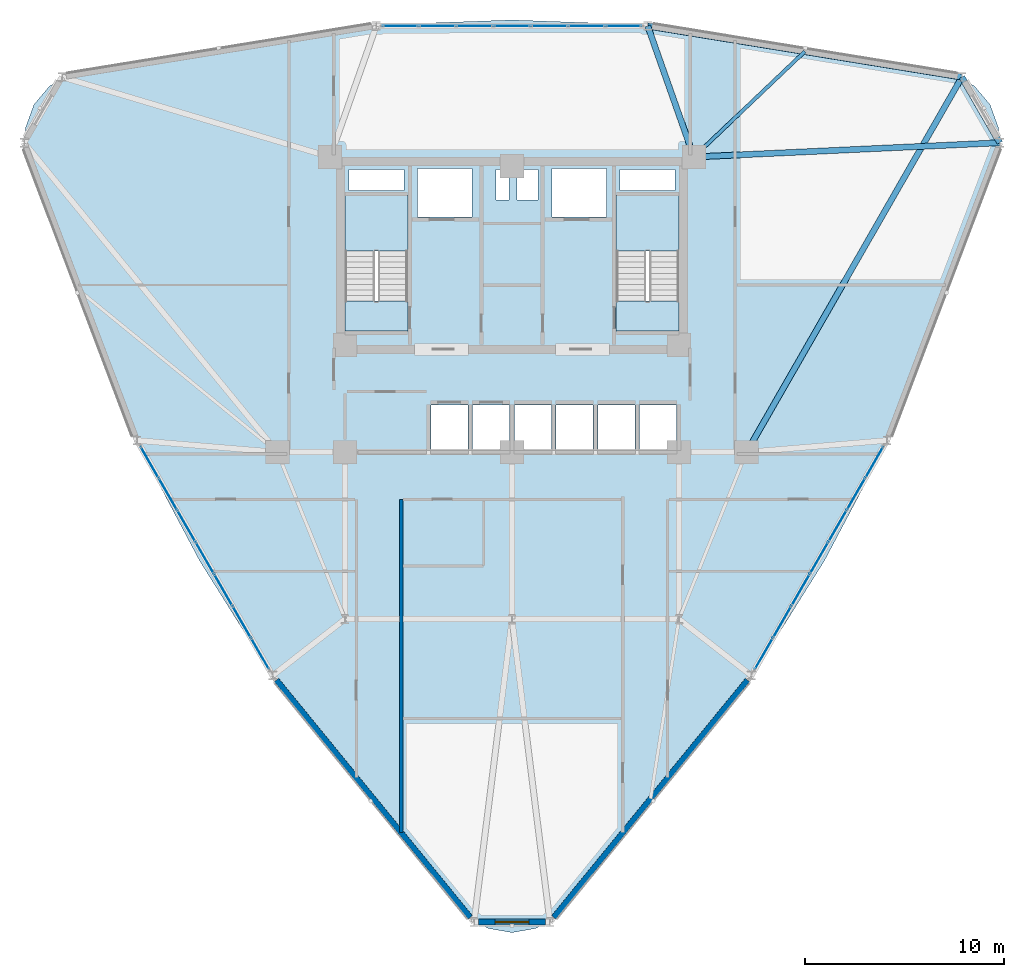
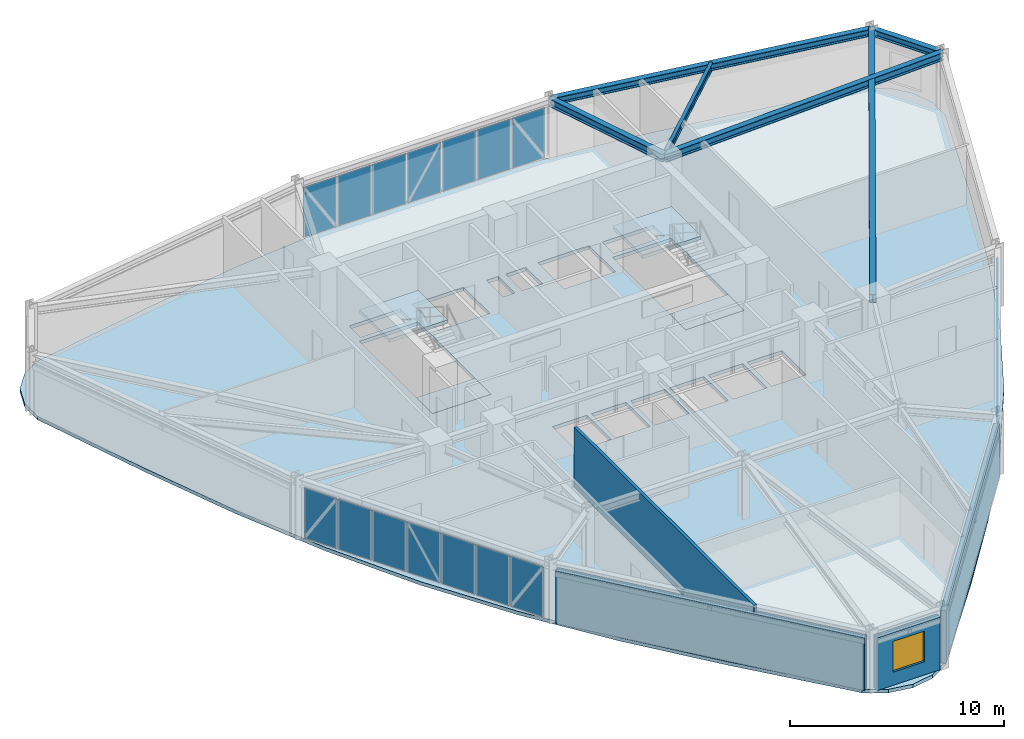
# One storey, part 9 of 17: 21 plates, 6 beams, 5 slabs, 4 walls, 1 window, 1 opening, 5 elements without a shape of their own.
"""IFC4 building model written with IfcOpenShell, lengths in metres."""

from ifc_helpers import new_model, si_unit, derived_unit, direction, frame, frame_2d, origin, origin_2d, place, context, subcontext, project, spatial, polyline, rectangle, i_section, outline, extrude, source, transform, mapped, material, layer, layer_set, material_profile, profile_set, type_object, element, fill, aggregate, save


model = new_model("IFC4")

# Units and contexts
model_context = context("Model", 3, precision=1e-05, world=origin(), true_north=direction((0.0, 1.0)))
body_context = subcontext(model_context, "Body", "Model", "MODEL_VIEW")
ifc_project = project(units=[si_unit("LENGTHUNIT", "METRE"), si_unit("AREAUNIT", "SQUARE_METRE"), si_unit("VOLUMEUNIT", "CUBIC_METRE"), si_unit("PLANEANGLEUNIT", "RADIAN"), si_unit("MASSUNIT", "GRAM", prefix="KILO"), derived_unit("THERMALTRANSMITTANCEUNIT", [(si_unit("POWERUNIT", "WATT"), 1), (si_unit("LENGTHUNIT", "METRE"), -2), (si_unit("THERMODYNAMICTEMPERATUREUNIT", "KELVIN"), -1)])], contexts=[model_context])

# Site, building, storey
site_placement = place(None, origin())
site = spatial("IfcSite", under=ifc_project, at=site_placement, CompositionType="ELEMENT")
building_placement = place(site_placement, origin())
building = spatial("IfcBuilding", under=site, at=building_placement, Name="Korsvarv Bourse and Concert Hall", CompositionType="ELEMENT")
storey_placement = place(building_placement, frame((0.0, 0.0, 124.199951171875)))
storey = spatial("IfcBuildingStorey", under=building, at=storey_placement, Name="L31", CompositionType="ELEMENT", Elevation=124.199951171875)

# Beams
ifc_material_1 = material(Name="Steel S355", Category="steel")
ifc_material_profile_1 = material_profile(ifc_material_1, i_section(OverallWidth=0.300048828125, OverallDepth=0.39990234375, WebThickness=0.013427734375, FlangeThickness=0.02392578125, FilletRadius=0.02099609375, at=origin_2d()), Name="HEB 400")
ifc_profile_set_1 = profile_set([ifc_material_profile_1], Name="Steel S355")
beam_type_1 = type_object("IfcBeamType", Name="BM-HEB400", PredefinedType="SPANDREL", material=ifc_profile_set_1)
shared_shape_1 = source(origin(), body_context, "Body", "SweptSolid", [
    extrude(i_section(OverallWidth=0.300048828125, OverallDepth=0.39990234375, WebThickness=0.013427734375, FlangeThickness=0.02392578125, FilletRadius=0.02099609375, at=origin_2d()), origin(), (0.0, 0.0, 1.0), 3.81591796875),
])
beam_1_placement = place(storey_placement, frame((60.541748046875, 47.966064453125, 3.199951171875), z_axis=(-0.499999364504, 0.866025770688, 0.0), x_axis=(-0.866025770688, -0.499999364504, 0.0)))
element("IfcBeam", 1, at=beam_1_placement, inside=storey, type_object=beam_type_1, Name="L31 beam B-09", PredefinedType="SPANDREL", context=body_context, shape_type="MappedRepresentation", body=[
    mapped(shared_shape_1, transform((0.0, 0.0, 0.0), scale=1.0)),
])
shared_shape_2 = source(origin(), body_context, "Body", "SweptSolid", [
    extrude(i_section(OverallWidth=0.300048828125, OverallDepth=0.39990234375, WebThickness=0.013427734375, FlangeThickness=0.02392578125, FilletRadius=0.02099609375, at=origin_2d()), origin(), (0.0, 0.0, 1.0), 16.014892578125),
])
beam_2_placement = place(storey_placement, frame((58.6337890625, 51.270751953125, 3.199951171875), z_axis=(-0.98703396265, 0.160511546547, 0.0), x_axis=(-0.160511546547, -0.98703396265, 0.0)))
element("IfcBeam", 2, at=beam_2_placement, inside=storey, type_object=beam_type_1, Name="L31 beam B-09", PredefinedType="SPANDREL", context=body_context, shape_type="MappedRepresentation", body=[
    mapped(shared_shape_2, transform((0.0, 0.0, 0.0), scale=1.0)),
])
ifc_material_profile_2 = material_profile(ifc_material_1, i_section(OverallWidth=0.300048828125, OverallDepth=0.449951171875, WebThickness=0.013916015625, FlangeThickness=0.02587890625, FilletRadius=0.02099609375, at=origin_2d()), Name="HEB 450")
ifc_profile_set_2 = profile_set([ifc_material_profile_2], Name="Steel S355")
beam_type_2 = type_object("IfcBeamType", Name="BM-HEB450", PredefinedType="SPANDREL", material=ifc_profile_set_2)
shared_shape_3 = source(origin(), body_context, "Body", "SweptSolid", [
    extrude(i_section(OverallWidth=0.300048828125, OverallDepth=0.449951171875, WebThickness=0.013916015625, FlangeThickness=0.02587890625, FilletRadius=0.02099609375, at=origin_2d()), origin(), (0.0, 0.0, 1.0), 15.408447265625),
])
beam_3_placement = place(storey_placement, frame((60.541748046875, 47.966064453125, 3.175048828125), z_axis=(-0.998919590077, -0.046472062141, 0.0), x_axis=(0.046472062141, -0.998919590077, 0.0)))
element("IfcBeam", 3, at=beam_3_placement, inside=storey, type_object=beam_type_2, Name="L31 beam B-08", PredefinedType="SPANDREL", context=body_context, shape_type="MappedRepresentation", body=[
    mapped(shared_shape_3, transform((0.0, 0.0, 0.0), scale=1.0)),
])
shared_shape_4 = source(origin(), body_context, "Body", "SweptSolid", [
    extrude(i_section(OverallWidth=0.300048828125, OverallDepth=0.449951171875, WebThickness=0.013916015625, FlangeThickness=0.02587890625, FilletRadius=0.02099609375, at=origin_2d()), origin(), (0.0, 0.0, 1.0), 21.759521484375),
])
beam_4_placement = place(storey_placement, frame((58.6337890625, 51.270751953125, 3.175048828125), z_axis=(-0.497883927271, -0.867243676809, 0.0), x_axis=(0.867243676809, -0.497883927271, 0.0)))
element("IfcBeam", 4, at=beam_4_placement, inside=storey, type_object=beam_type_2, Name="L31 beam B-08", PredefinedType="SPANDREL", context=body_context, shape_type="MappedRepresentation", body=[
    mapped(shared_shape_4, transform((0.0, 0.0, 0.0), scale=1.0)),
])
shared_shape_5 = source(origin(), body_context, "Body", "SweptSolid", [
    extrude(i_section(OverallWidth=0.300048828125, OverallDepth=0.449951171875, WebThickness=0.013916015625, FlangeThickness=0.02587890625, FilletRadius=0.02099609375, at=origin_2d()), origin(), (0.0, 0.0, 1.0), 6.98876953125),
])
beam_5_placement = place(storey_placement, frame((42.82666015625, 53.84130859375, 3.175048828125), z_axis=(0.332425395901, -0.943129554282, 0.0), x_axis=(0.943129554282, 0.332425395901, 0.0)))
element("IfcBeam", 5, at=beam_5_placement, inside=storey, type_object=beam_type_2, Name="L31 beam B-08", PredefinedType="SPANDREL", context=body_context, shape_type="MappedRepresentation", body=[
    mapped(shared_shape_5, transform((0.0, 0.0, 0.0), scale=1.0)),
])
ifc_material_profile_3 = material_profile(ifc_material_1, i_section(OverallWidth=0.179931640625, OverallDepth=0.39990234375, WebThickness=0.008544921875, FlangeThickness=0.013427734375, FilletRadius=0.02099609375, at=origin_2d()), Name="IPE 400")
ifc_profile_set_3 = profile_set([ifc_material_profile_3], Name="Steel S355")
beam_type_3 = type_object("IfcBeamType", Name="BM-IPE400", PredefinedType="JOIST", material=ifc_profile_set_3)
shared_shape_6 = source(origin(), body_context, "Body", "SweptSolid", [
    extrude(i_section(OverallWidth=0.179931640625, OverallDepth=0.39990234375, WebThickness=0.008544921875, FlangeThickness=0.013427734375, FilletRadius=0.02099609375, at=origin_2d()), origin(), (0.0, 0.0, 1.0), 7.7001953125),
])
beam_6_placement = place(storey_placement, frame((50.730224609375, 52.555908203125, 3.199951171875), z_axis=(-0.724700930446, -0.689063539458, 0.0), x_axis=(0.689063539458, -0.724700930446, 0.0)))
element("IfcBeam", 6, at=beam_6_placement, inside=storey, type_object=beam_type_3, Name="L31 beam J-05", PredefinedType="JOIST", context=body_context, shape_type="MappedRepresentation", body=[
    mapped(shared_shape_6, transform((0.0, 0.0, 0.0), scale=1.0)),
])

# Slabs
ifc_material_2 = material(Name="Precast concrete C45/55", Category="concrete")
ifc_layer_1 = layer(ifc_material_2, 0.199951171875)
ifc_layer_set_1 = layer_set([ifc_layer_1], Name="Precast concrete C45/55")
slab_type_1 = type_object("IfcSlabType", Name="SLB-FLND-T", PredefinedType="LANDING", material=ifc_layer_set_1)
slab_1_placement = place(storey_placement, frame((0.0, 0.0, -0.199951171875)))
element("IfcSlab", 7, at=slab_1_placement, inside=storey, type_object=slab_type_1, Name="L31 Stair ST-T1 Floor Landing Slab", PredefinedType="LANDING", context=body_context, shape_type="SweptSolid", body=[
    extrude(outline(polyline([(30.760009765625, 38.5), (30.760009765625, 40.0), (27.60009765625, 40.0), (27.60009765625, 38.5), (30.760009765625, 38.5)])), origin(), (0.0, 0.0, 1.0), 0.199951171875),
])
slab_2_placement = place(storey_placement, frame((0.0, 0.0, -0.199951171875)))
element("IfcSlab", 8, at=slab_2_placement, inside=storey, type_object=slab_type_1, Name="L31 Stair ST-T2 Floor Landing Slab", PredefinedType="LANDING", context=body_context, shape_type="SweptSolid", body=[
    extrude(outline(polyline([(44.39990234375, 38.5), (44.39990234375, 40.0), (41.239990234375, 40.0), (41.239990234375, 38.5), (44.39990234375, 38.5)])), origin(), (0.0, 0.0, 1.0), 0.199951171875),
])

# Stair, slab
stair_type = type_object("IfcStairType", Name="STR-TYPE-04", PredefinedType="HALF_TURN_STAIR", material=ifc_material_2)
stair_1_placement = place(storey_placement, origin())
stair_1 = element("IfcStair", 9, at=stair_1_placement, inside=storey, type_object=stair_type, Name="L31 Tower West Exit Stair ST-T1", PredefinedType="HALF_TURN_STAIR")
ifc_layer_2 = layer(ifc_material_2, 0.199951171875)
ifc_layer_set_2 = layer_set([ifc_layer_2], Name="Precast concrete C45/55")
slab_type_2 = type_object("IfcSlabType", Name="SLB-ST-LND", PredefinedType="LANDING", material=ifc_layer_set_2)
slab_3_placement = place(storey_placement, frame((0.0, 0.0, 1.60009765625)))
slab_3 = element("IfcSlab", 10, at=slab_3_placement, type_object=slab_type_2, Name="ST-T1 landing 1", PredefinedType="LANDING", context=body_context, shape_type="SweptSolid", body=[
    extrude(outline(polyline([(30.760009765625, 42.52001953125), (30.760009765625, 45.300048828125), (27.60009765625, 45.300048828125), (27.60009765625, 42.52001953125), (30.760009765625, 42.52001953125)])), origin(), (0.0, 0.0, 1.0), 0.199951171875),
])
aggregate(stair_1, [slab_3])

stair_2_placement = place(storey_placement, origin())
stair_2 = element("IfcStair", 11, at=stair_2_placement, inside=storey, type_object=stair_type, Name="L31 Tower East Exit Stair ST-T2", PredefinedType="HALF_TURN_STAIR")
slab_4_placement = place(storey_placement, frame((0.0, 0.0, 1.60009765625)))
slab_4 = element("IfcSlab", 12, at=slab_4_placement, type_object=slab_type_2, Name="ST-T2 landing 1", PredefinedType="LANDING", context=body_context, shape_type="SweptSolid", body=[
    extrude(outline(polyline([(44.39990234375, 42.52001953125), (44.39990234375, 45.300048828125), (41.239990234375, 45.300048828125), (41.239990234375, 42.52001953125), (44.39990234375, 42.52001953125)])), origin(), (0.0, 0.0, 1.0), 0.199951171875),
])
aggregate(stair_2, [slab_4])

# Slab
ifc_material_3 = material(Name="Concrete C45/55", Category="concrete")
ifc_layer_3 = layer(ifc_material_3, 0.199951171875)
ifc_layer_set_3 = layer_set([ifc_layer_3], Name="Concrete C45/55")
slab_type_3 = type_object("IfcSlabType", Name="SLB-TW2", PredefinedType="FLOOR", material=ifc_layer_set_3)
slab_5_placement = place(storey_placement, frame((0.0, 0.0, -0.199951171875)))
element("IfcSlab", 13, at=slab_5_placement, inside=storey, type_object=slab_type_3, Name="L31 tower structural floor slab", PredefinedType="FLOOR", context=body_context, shape_type="SweptSolid", body=[
    extrude(outline(polyline([(59.994140625, 46.2314453125), (58.197265625, 41.2158203125), (56.282958984375, 36.29345703125), (54.14501953125, 31.52001953125), (51.7109375, 26.92919921875), (48.9521484375, 22.52587890625), (45.887451171875, 18.287841796875), (42.58154296875, 14.168701171875), (39.13623046875, 10.104736328125), (39.133544921875, 10.101318359375), (38.251708984375, 9.050537109375), (37.197998046875, 8.442138671875), (36.0, 8.23095703125), (34.802001953125, 8.442138671875), (33.748291015625, 9.050537109375), (32.866455078125, 10.101318359375), (32.86376953125, 10.104736328125), (29.41845703125, 14.168701171875), (26.112548828125, 18.287841796875), (23.0478515625, 22.52587890625), (20.2890625, 26.92919921875), (17.85498046875, 31.52001953125), (15.717041015625, 36.29345703125), (13.802734375, 41.2158203125), (12.005859375, 46.2314453125), (12.00439453125, 46.235595703125), (11.53515625, 47.524658203125), (11.53515625, 48.7412109375), (11.951416015625, 49.884521484375), (12.7333984375, 50.81640625), (13.786865234375, 51.4248046875), (15.1376953125, 51.6630859375), (15.14208984375, 51.663818359375), (20.384521484375, 52.615478515625), (25.6044921875, 53.4189453125), (30.807373046875, 53.953857421875), (36.0, 54.141357421875), (41.192626953125, 53.953857421875), (46.3955078125, 53.4189453125), (51.615478515625, 52.615478515625), (56.85791015625, 51.663818359375), (56.8623046875, 51.6630859375), (58.213134765625, 51.4248046875), (59.2666015625, 50.81640625), (60.048583984375, 49.884521484375), (60.46484375, 48.7412109375), (60.46484375, 47.524658203125), (59.99560546875, 46.235595703125), (59.994140625, 46.2314453125)]), holes=[polyline([(30.760009765625, 38.5), (30.760009765625, 45.300048828125), (27.60009765625, 45.300048828125), (27.60009765625, 38.5), (30.760009765625, 38.5)]), polyline([(44.39990234375, 38.5), (44.39990234375, 45.300048828125), (41.239990234375, 45.300048828125), (41.239990234375, 38.5), (44.39990234375, 38.5)]), polyline([(31.239990234375, 44.219970703125), (34.0, 44.219970703125), (34.0, 46.679931640625), (31.239990234375, 46.679931640625), (31.239990234375, 44.219970703125)]), polyline([(38.0, 44.219970703125), (40.760009765625, 44.219970703125), (40.760009765625, 46.679931640625), (38.0, 46.679931640625), (38.0, 44.219970703125)]), polyline([(31.919921875, 32.52001953125), (33.780029296875, 32.52001953125), (33.780029296875, 34.780029296875), (31.919921875, 34.780029296875), (31.919921875, 32.52001953125)]), polyline([(34.02001953125, 32.52001953125), (35.8798828125, 32.52001953125), (35.8798828125, 34.780029296875), (34.02001953125, 34.780029296875), (34.02001953125, 32.52001953125)]), polyline([(36.1201171875, 32.52001953125), (37.97998046875, 32.52001953125), (37.97998046875, 34.780029296875), (36.1201171875, 34.780029296875), (36.1201171875, 32.52001953125)]), polyline([(38.219970703125, 32.52001953125), (40.080078125, 32.52001953125), (40.080078125, 34.780029296875), (38.219970703125, 34.780029296875), (38.219970703125, 32.52001953125)]), polyline([(40.320068359375, 32.52001953125), (42.179931640625, 32.52001953125), (42.179931640625, 34.780029296875), (40.320068359375, 34.780029296875), (40.320068359375, 32.52001953125)]), polyline([(42.419921875, 32.52001953125), (44.280029296875, 32.52001953125), (44.280029296875, 34.780029296875), (42.419921875, 34.780029296875), (42.419921875, 32.52001953125)]), polyline([(27.800048828125, 45.56005859375), (30.56005859375, 45.56005859375), (30.56005859375, 46.6201171875), (27.800048828125, 46.6201171875), (27.800048828125, 45.56005859375)]), polyline([(41.43994140625, 45.56005859375), (44.199951171875, 45.56005859375), (44.199951171875, 46.6201171875), (41.43994140625, 46.6201171875), (41.43994140625, 45.56005859375)]), polyline([(35.199951171875, 45.080078125), (35.840087890625, 45.080078125), (35.840087890625, 46.6201171875), (35.199951171875, 46.6201171875), (35.199951171875, 45.080078125)]), polyline([(36.239990234375, 45.080078125), (37.320068359375, 45.080078125), (37.320068359375, 46.6201171875), (36.239990234375, 46.6201171875), (36.239990234375, 45.080078125)])]), origin(), (0.0, 0.0, 1.0), 0.199951171875),
])

# Curtain wall, plates
ifc_material_4 = material(Name="Anodised aluminium and triple low-E glazing", Category="glass")
ifc_layer_4 = layer(ifc_material_4, 0.2099609375)
ifc_layer_set_4 = layer_set([ifc_layer_4], Name="Anodised aluminium and triple low-E glazing")
curtain_wall_type = type_object("IfcCurtainWallType", Name="CW-SYS-2", PredefinedType="NOTDEFINED", material=ifc_layer_set_4)
curtain_wall_1_placement = place(storey_placement, origin())
curtain_wall_1 = element("IfcCurtainWall", 14, at=curtain_wall_1_placement, inside=storey, type_object=curtain_wall_type, Name="L31 CW2 curtain wall CW-L31-F03", PredefinedType="NOTDEFINED")
ifc_material_5 = material(Name="Insulated spandrel glass", Category="glass")
ifc_layer_5 = layer(ifc_material_5, 0.031982421875)
ifc_layer_set_5 = layer_set([ifc_layer_5], Name="Insulated spandrel glass")
plate_type_1 = type_object("IfcPlateType", Name="CWP-SPD1", PredefinedType="CURTAIN_PANEL", material=ifc_layer_set_5)
shared_shape_7 = source(origin(), body_context, "Body", "SweptSolid", [
    extrude(rectangle(XDim=1.771484375, YDim=0.031982421875, at=origin_2d()), origin(), (0.0, 0.0, 1.0), 2.8701171875),
])
plate_1_placement = place(storey_placement, frame((41.612060546875, 53.84130859375, 0.06494140625), z_axis=(0.0, 0.0, 1.0), x_axis=(-1.0, 0.0, 0.0)))
plate_1 = element("IfcPlate", 15, at=plate_1_placement, type_object=plate_type_1, Name="CW2 spandrel shadow-box panel 1.1", PredefinedType="CURTAIN_PANEL", context=body_context, shape_type="MappedRepresentation", body=[
    mapped(shared_shape_7, transform((0.0, 0.0, 0.0), scale=1.0)),
])
plate_2_placement = place(storey_placement, frame((30.387939453125, 53.84130859375, 0.06494140625), z_axis=(0.0, 0.0, 1.0), x_axis=(-1.0, 0.0, 0.0)))
plate_2 = element("IfcPlate", 16, at=plate_2_placement, type_object=plate_type_1, Name="CW2 spandrel shadow-box panel 7.1", PredefinedType="CURTAIN_PANEL", context=body_context, shape_type="MappedRepresentation", body=[
    mapped(shared_shape_7, transform((0.0, 0.0, 0.0), scale=1.0)),
])
ifc_material_6 = material(Name="Tempered triple insulated low-E architectural glass", Category="glass")
ifc_layer_6 = layer(ifc_material_6, 0.0380859375)
ifc_layer_set_6 = layer_set([ifc_layer_6], Name="Tempered triple insulated low-E architectural glass")
plate_type_2 = type_object("IfcPlateType", Name="CWP-VIS2", PredefinedType="CURTAIN_PANEL", material=ifc_layer_set_6)
shared_shape_8 = source(origin(), body_context, "Body", "SweptSolid", [
    extrude(rectangle(XDim=1.806396484375, YDim=0.0380859375, at=origin_2d()), origin(), (0.0, 0.0, 1.0), 2.8701171875),
])
plate_3_placement = place(storey_placement, frame((39.7529296875, 53.84130859375, 0.06494140625), z_axis=(0.0, 0.0, 1.0), x_axis=(-1.0, 0.0, 0.0)))
plate_3 = element("IfcPlate", 17, at=plate_3_placement, type_object=plate_type_2, Name="CW2 faceted panel 2.1", PredefinedType="CURTAIN_PANEL", context=body_context, shape_type="MappedRepresentation", body=[
    mapped(shared_shape_8, transform((0.0, 0.0, 0.0), scale=1.0)),
])
plate_4_placement = place(storey_placement, frame((37.87646484375, 53.84130859375, 0.06494140625), z_axis=(0.0, 0.0, 1.0), x_axis=(-1.0, 0.0, 0.0)))
plate_4 = element("IfcPlate", 18, at=plate_4_placement, type_object=plate_type_2, Name="CW2 faceted panel 3.1", PredefinedType="CURTAIN_PANEL", context=body_context, shape_type="MappedRepresentation", body=[
    mapped(shared_shape_8, transform((0.0, 0.0, 0.0), scale=1.0)),
])
plate_5_placement = place(storey_placement, frame((34.12353515625, 53.84130859375, 0.06494140625), z_axis=(0.0, 0.0, 1.0), x_axis=(-1.0, 0.0, 0.0)))
plate_5 = element("IfcPlate", 19, at=plate_5_placement, type_object=plate_type_2, Name="CW2 faceted panel 5.1", PredefinedType="CURTAIN_PANEL", context=body_context, shape_type="MappedRepresentation", body=[
    mapped(shared_shape_8, transform((0.0, 0.0, 0.0), scale=1.0)),
])
plate_6_placement = place(storey_placement, frame((32.2470703125, 53.84130859375, 0.06494140625), z_axis=(0.0, 0.0, 1.0), x_axis=(-1.0, 0.0, 0.0)))
plate_6 = element("IfcPlate", 20, at=plate_6_placement, type_object=plate_type_2, Name="CW2 faceted panel 6.1", PredefinedType="CURTAIN_PANEL", context=body_context, shape_type="MappedRepresentation", body=[
    mapped(shared_shape_8, transform((0.0, 0.0, 0.0), scale=1.0)),
])
shared_shape_9 = source(origin(), body_context, "Body", "SweptSolid", [
    extrude(rectangle(XDim=1.806396484375, YDim=0.031982421875, at=origin_2d()), origin(), (0.0, 0.0, 1.0), 2.8701171875),
])
plate_7_placement = place(storey_placement, frame((36.0, 53.84130859375, 0.06494140625), z_axis=(0.0, 0.0, 1.0), x_axis=(-1.0, 0.0, 0.0)))
plate_7 = element("IfcPlate", 21, at=plate_7_placement, type_object=plate_type_1, Name="CW2 spandrel shadow-box panel 4.1", PredefinedType="CURTAIN_PANEL", context=body_context, shape_type="MappedRepresentation", body=[
    mapped(shared_shape_9, transform((0.0, 0.0, 0.0), scale=1.0)),
])
aggregate(curtain_wall_1, [plate_1, plate_3, plate_4, plate_7, plate_5, plate_6, plate_2])

curtain_wall_2_placement = place(storey_placement, origin())
curtain_wall_2 = element("IfcCurtainWall", 22, at=curtain_wall_2_placement, inside=storey, type_object=curtain_wall_type, Name="L31 CW2 curtain wall CW-L31-F07", PredefinedType="NOTDEFINED")
shared_shape_10 = source(origin(), body_context, "Body", "SweptSolid", [
    extrude(rectangle(XDim=1.75390625, YDim=0.031982421875, at=origin_2d()), origin(), (0.0, 0.0, 1.0), 2.8701171875),
])
plate_8_placement = place(storey_placement, frame((17.769287109375, 31.893798828125, 0.06494140625), z_axis=(0.0, 0.0, 1.0), x_axis=(0.500007166863, -0.866021265954, 0.0)))
plate_8 = element("IfcPlate", 23, at=plate_8_placement, type_object=plate_type_1, Name="CW2 spandrel shadow-box panel 1.1", PredefinedType="CURTAIN_PANEL", context=body_context, shape_type="MappedRepresentation", body=[
    mapped(shared_shape_10, transform((0.0, 0.0, 0.0), scale=1.0)),
])
plate_9_placement = place(storey_placement, frame((23.328857421875, 22.264892578125, 0.06494140625), z_axis=(0.0, 0.0, 1.0), x_axis=(0.500007166863, -0.866021265954, 0.0)))
plate_9 = element("IfcPlate", 24, at=plate_9_placement, type_object=plate_type_1, Name="CW2 spandrel shadow-box panel 7.1", PredefinedType="CURTAIN_PANEL", context=body_context, shape_type="MappedRepresentation", body=[
    mapped(shared_shape_10, transform((0.0, 0.0, 0.0), scale=1.0)),
])

curtain_wall_3_placement = place(storey_placement, origin())
curtain_wall_3 = element("IfcCurtainWall", 25, at=curtain_wall_3_placement, inside=storey, type_object=curtain_wall_type, Name="L31 CW2 curtain wall CW-L31-F11", PredefinedType="NOTDEFINED")
plate_10_placement = place(storey_placement, frame((48.671142578125, 22.264892578125, 0.06494140625), z_axis=(0.0, 0.0, 1.0), x_axis=(0.500007166863, 0.866021265954, 0.0)))
plate_10 = element("IfcPlate", 26, at=plate_10_placement, type_object=plate_type_1, Name="CW2 spandrel shadow-box panel 1.1", PredefinedType="CURTAIN_PANEL", context=body_context, shape_type="MappedRepresentation", body=[
    mapped(shared_shape_10, transform((0.0, 0.0, 0.0), scale=1.0)),
])
plate_11_placement = place(storey_placement, frame((54.230712890625, 31.893798828125, 0.06494140625), z_axis=(0.0, 0.0, 1.0), x_axis=(0.500007166863, 0.866021265954, 0.0)))
plate_11 = element("IfcPlate", 27, at=plate_11_placement, type_object=plate_type_1, Name="CW2 spandrel shadow-box panel 7.1", PredefinedType="CURTAIN_PANEL", context=body_context, shape_type="MappedRepresentation", body=[
    mapped(shared_shape_10, transform((0.0, 0.0, 0.0), scale=1.0)),
])

# Plate
shared_shape_11 = source(origin(), body_context, "Body", "SweptSolid", [
    extrude(rectangle(XDim=1.7890625, YDim=0.0380859375, at=origin_2d()), origin(), (0.0, 0.0, 1.0), 2.8701171875),
])
plate_12_placement = place(storey_placement, frame((18.690185546875, 30.299072265625, 0.06494140625), z_axis=(0.0, 0.0, 1.0), x_axis=(0.500007166863, -0.866021265954, 0.0)))
plate_12 = element("IfcPlate", 28, at=plate_12_placement, type_object=plate_type_2, Name="CW2 faceted panel 2.1", PredefinedType="CURTAIN_PANEL", context=body_context, shape_type="MappedRepresentation", body=[
    mapped(shared_shape_11, transform((0.0, 0.0, 0.0), scale=1.0)),
])

plate_13_placement = place(storey_placement, frame((19.61962890625, 28.689208984375, 0.06494140625), z_axis=(0.0, 0.0, 1.0), x_axis=(0.500007166863, -0.866021265954, 0.0)))
plate_13 = element("IfcPlate", 29, at=plate_13_placement, type_object=plate_type_2, Name="CW2 faceted panel 3.1", PredefinedType="CURTAIN_PANEL", context=body_context, shape_type="MappedRepresentation", body=[
    mapped(shared_shape_11, transform((0.0, 0.0, 0.0), scale=1.0)),
])

plate_14_placement = place(storey_placement, frame((21.478515625, 25.469482421875, 0.06494140625), z_axis=(0.0, 0.0, 1.0), x_axis=(0.500007166863, -0.866021265954, 0.0)))
plate_14 = element("IfcPlate", 30, at=plate_14_placement, type_object=plate_type_2, Name="CW2 faceted panel 5.1", PredefinedType="CURTAIN_PANEL", context=body_context, shape_type="MappedRepresentation", body=[
    mapped(shared_shape_11, transform((0.0, 0.0, 0.0), scale=1.0)),
])

plate_15_placement = place(storey_placement, frame((22.407958984375, 23.859619140625, 0.06494140625), z_axis=(0.0, 0.0, 1.0), x_axis=(0.500007166863, -0.866021265954, 0.0)))
plate_15 = element("IfcPlate", 31, at=plate_15_placement, type_object=plate_type_2, Name="CW2 faceted panel 6.1", PredefinedType="CURTAIN_PANEL", context=body_context, shape_type="MappedRepresentation", body=[
    mapped(shared_shape_11, transform((0.0, 0.0, 0.0), scale=1.0)),
])

plate_16_placement = place(storey_placement, frame((49.592041015625, 23.859619140625, 0.06494140625), z_axis=(0.0, 0.0, 1.0), x_axis=(0.500007166863, 0.866021265954, 0.0)))
plate_16 = element("IfcPlate", 32, at=plate_16_placement, type_object=plate_type_2, Name="CW2 faceted panel 2.1", PredefinedType="CURTAIN_PANEL", context=body_context, shape_type="MappedRepresentation", body=[
    mapped(shared_shape_11, transform((0.0, 0.0, 0.0), scale=1.0)),
])

plate_17_placement = place(storey_placement, frame((50.521484375, 25.469482421875, 0.06494140625), z_axis=(0.0, 0.0, 1.0), x_axis=(0.500007166863, 0.866021265954, 0.0)))
plate_17 = element("IfcPlate", 33, at=plate_17_placement, type_object=plate_type_2, Name="CW2 faceted panel 3.1", PredefinedType="CURTAIN_PANEL", context=body_context, shape_type="MappedRepresentation", body=[
    mapped(shared_shape_11, transform((0.0, 0.0, 0.0), scale=1.0)),
])

plate_18_placement = place(storey_placement, frame((52.38037109375, 28.689208984375, 0.06494140625), z_axis=(0.0, 0.0, 1.0), x_axis=(0.500007166863, 0.866021265954, 0.0)))
plate_18 = element("IfcPlate", 34, at=plate_18_placement, type_object=plate_type_2, Name="CW2 faceted panel 5.1", PredefinedType="CURTAIN_PANEL", context=body_context, shape_type="MappedRepresentation", body=[
    mapped(shared_shape_11, transform((0.0, 0.0, 0.0), scale=1.0)),
])

plate_19_placement = place(storey_placement, frame((53.309814453125, 30.299072265625, 0.06494140625), z_axis=(0.0, 0.0, 1.0), x_axis=(0.500007166863, 0.866021265954, 0.0)))
plate_19 = element("IfcPlate", 35, at=plate_19_placement, type_object=plate_type_2, Name="CW2 faceted panel 6.1", PredefinedType="CURTAIN_PANEL", context=body_context, shape_type="MappedRepresentation", body=[
    mapped(shared_shape_11, transform((0.0, 0.0, 0.0), scale=1.0)),
])

shared_shape_12 = source(origin(), body_context, "Body", "SweptSolid", [
    extrude(rectangle(XDim=1.7890625, YDim=0.031982421875, at=origin_2d()), origin(), (0.0, 0.0, 1.0), 2.8701171875),
])
plate_20_placement = place(storey_placement, frame((20.549072265625, 27.079345703125, 0.06494140625), z_axis=(0.0, 0.0, 1.0), x_axis=(0.500007166863, -0.866021265954, 0.0)))
plate_20 = element("IfcPlate", 36, at=plate_20_placement, type_object=plate_type_1, Name="CW2 spandrel shadow-box panel 4.1", PredefinedType="CURTAIN_PANEL", context=body_context, shape_type="MappedRepresentation", body=[
    mapped(shared_shape_12, transform((0.0, 0.0, 0.0), scale=1.0)),
])

aggregate(curtain_wall_2, [plate_8, plate_12, plate_13, plate_20, plate_14, plate_15, plate_9])

plate_21_placement = place(storey_placement, frame((51.450927734375, 27.079345703125, 0.06494140625), z_axis=(0.0, 0.0, 1.0), x_axis=(0.500007166863, 0.866021265954, 0.0)))
plate_21 = element("IfcPlate", 37, at=plate_21_placement, type_object=plate_type_1, Name="CW2 spandrel shadow-box panel 4.1", PredefinedType="CURTAIN_PANEL", context=body_context, shape_type="MappedRepresentation", body=[
    mapped(shared_shape_12, transform((0.0, 0.0, 0.0), scale=1.0)),
])

aggregate(curtain_wall_3, [plate_10, plate_16, plate_17, plate_21, plate_18, plate_19, plate_11])

# Wall, opening, window
ifc_material_7 = material(Name="Precast concrete C45/55 with terracotta rainscreen", Category="concrete")
ifc_layer_7 = layer(ifc_material_7, 0.300048828125)
ifc_layer_set_7 = layer_set([ifc_layer_7], Name="Precast concrete C45/55 with terracotta rainscreen")
wall_type_1 = type_object("IfcWallType", Name="WL-EXT-TC1", PredefinedType="SOLIDWALL", material=ifc_layer_set_7)
wall_1_placement = place(storey_placement, frame((34.305908203125, 8.76318359375, 0.0), z_axis=(0.0, 0.0, 1.0), x_axis=(1.0, 0.0, 0.0)))
wall_1 = element("IfcWall", 38, at=wall_1_placement, inside=storey, type_object=wall_type_1, Name="L31 terracotta exterior wall EW-L31-B09", PredefinedType="SOLIDWALL", context=body_context, shape_type="SweptSolid", body=[
    extrude(rectangle(XDim=3.38818359375, YDim=0.300048828125, at=frame_2d((1.694091796875, 0.0))), origin(), (0.0, 0.0, 1.0), 3.0),
])
opening_placement = place(wall_1_placement, frame((0.843994140625, 0.0, 0.75)))
opening = element("IfcOpeningElement", 39, at=opening_placement, cuts=wall_1, Name="Opening W-01", PredefinedType="OPENING", context=body_context, shape_type="SweptSolid", body=[
    extrude(rectangle(XDim=1.699951171875, YDim=1.75, at=frame_2d((0.85009765625, 0.875))), frame((0.0, 0.16015625, 0.0), z_axis=(0.0, -1.0, 0.0), x_axis=(1.0, 0.0, 0.0)), (0.0, 0.0, 1.0), 0.320068359375),
])
ifc_material_8 = material(Name="Thermally broken aluminium frame with triple low-E glass", Category="glass")
window_type = type_object("IfcWindowType", Name="WIN-TW1", PartitioningType="SINGLE_PANEL", PredefinedType="WINDOW", material=ifc_material_8)
window_placement = place(opening_placement, origin())
window = element("IfcWindow", 40, at=window_placement, inside=storey, type_object=window_type, Name="L31 punched facade window W-01", OverallHeight=1.75, OverallWidth=1.699951171875, PartitioningType="SINGLE_PANEL", PredefinedType="WINDOW", context=body_context, shape_type="SweptSolid", body=[
    extrude(rectangle(XDim=1.699951171875, YDim=1.75, at=frame_2d((0.85009765625, 0.875))), frame((0.0, 0.030029296875, 0.0), z_axis=(0.0, -1.0, 0.0), x_axis=(1.0, 0.0, 0.0)), (0.0, 0.0, 1.0), 0.06005859375),
])
fill(opening, window)

# Walls
ifc_material_9 = material(Name="Precast concrete C45/55 with fluted terracotta pier", Category="concrete")
ifc_layer_8 = layer(ifc_material_9, 0.280029296875)
ifc_layer_set_8 = layer_set([ifc_layer_8], Name="Precast concrete C45/55 with fluted terracotta pier")
wall_type_2 = type_object("IfcWallType", Name="WL-EXT-TC2", PredefinedType="SOLIDWALL", material=ifc_layer_set_8)
for number, where, z_axis, x_axis, name in (
    (41, (24.15234375, 20.934814453125, 0.0), (0.0, 0.0, 1.0), (0.632511291832, -0.774551138211, 0.0), "L31 terracotta exterior wall EW-L31-B08"),
    (42, (38.097900390625, 8.99560546875, 0.0), (0.0, 0.0, 1.0), (0.632511291832, 0.774551138211, 0.0), "L31 terracotta exterior wall EW-L31-B10"),
):
    element("IfcWall", number, at=place(storey_placement, frame(where, z_axis=z_axis, x_axis=x_axis)), inside=storey, type_object=wall_type_2, Name=name, PredefinedType="SOLIDWALL", context=body_context, shape_type="SweptSolid", body=[
        extrude(rectangle(XDim=15.414306640625, YDim=0.280029296875, at=frame_2d((7.70703125, 0.0))), origin(), (0.0, 0.0, 1.0), 3.0),
    ])
ifc_material_10 = material(Name="Double-stud fire-rated acoustic partition", Category="gypsum")
ifc_layer_9 = layer(ifc_material_10, 0.159912109375)
ifc_layer_set_9 = layer_set([ifc_layer_9], Name="Double-stud fire-rated acoustic partition")
wall_type_3 = type_object("IfcWallType", Name="WL-INT-EI60", PredefinedType="PARTITIONING", material=ifc_layer_set_9)
wall_2_placement = place(storey_placement, frame((30.425048828125, 13.273681640625, 0.0), z_axis=(0.0, 0.0, 1.0), x_axis=(0.0, 1.0, 0.0)))
element("IfcWall", 43, at=wall_2_placement, inside=storey, type_object=wall_type_3, Name="L31 interior partition wall W-L31-TCOR-04", PredefinedType="PARTITIONING", context=body_context, shape_type="SweptSolid", body=[
    extrude(rectangle(XDim=16.75634765625, YDim=0.159912109375, at=frame_2d((8.378173828125, 0.0))), origin(), (0.0, 0.0, 1.0), 3.400146484375),
])

save(model, "model.ifc")
